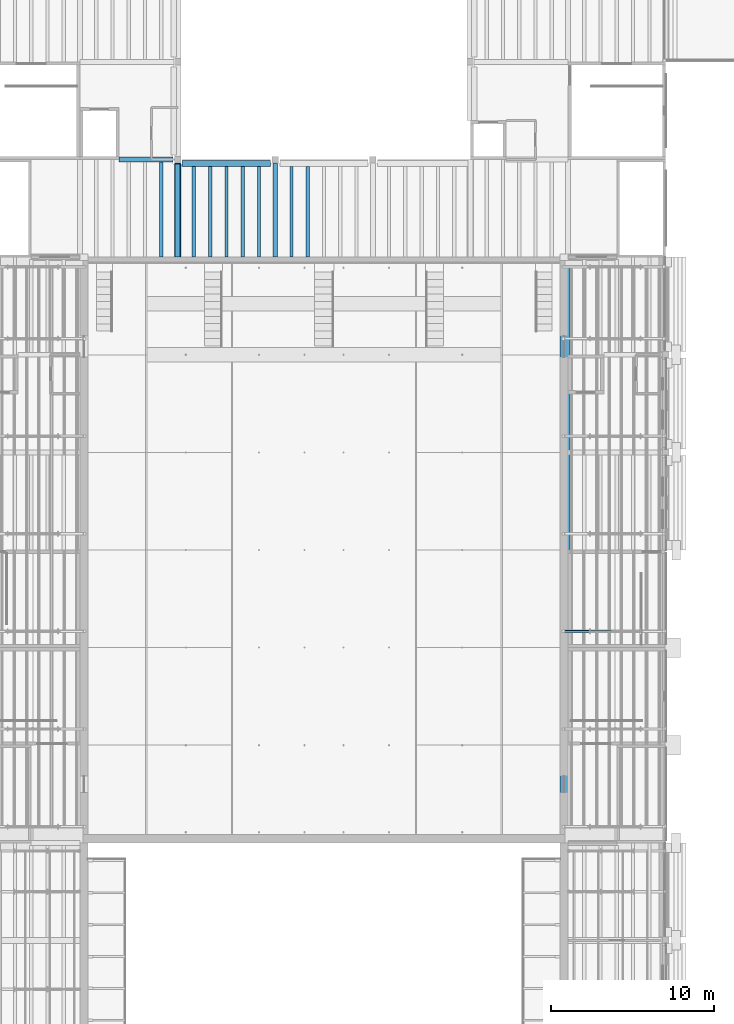
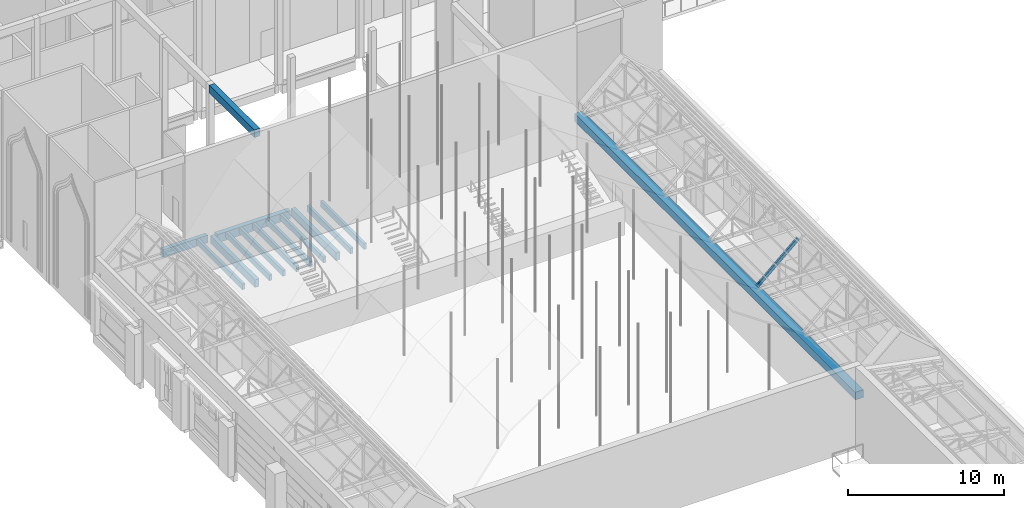
# One storey, part 43 of 118: 14 beams, 1 member.
"""IFC4 building model written with IfcOpenShell, lengths in metres."""

from ifc_helpers import new_model, si_unit, direction, frame, origin, origin_2d, place, context, subcontext, project, spatial, rectangle, hollow_rectangle, extrude, material, material_profile, profile_set, type_object, element, save


model = new_model("IFC4")

# Units and contexts
model_context = context("Model", 3, precision=1e-05, world=origin(), true_north=direction((0.0, 1.0)))
body_context = subcontext(model_context, "Body", "Model", "MODEL_VIEW")
ifc_project = project(units=[si_unit("LENGTHUNIT", "METRE"), si_unit("AREAUNIT", "SQUARE_METRE"), si_unit("VOLUMEUNIT", "CUBIC_METRE"), si_unit("PLANEANGLEUNIT", "RADIAN"), si_unit("MASSUNIT", "GRAM", prefix="KILO")], contexts=[model_context])

# Site, building, storey
site_placement = place(None, origin())
site = spatial("IfcSite", under=ifc_project, at=site_placement, CompositionType="ELEMENT")
building_placement = place(site_placement, origin())
building = spatial("IfcBuilding", under=site, at=building_placement, Name="Saffron Lane Theatres", CompositionType="ELEMENT")
storey_placement = place(building_placement, frame((0.0, 0.0, 16.5)))
storey = spatial("IfcBuildingStorey", under=building, at=storey_placement, Name="L03", CompositionType="ELEMENT", Elevation=16.5)

# Beams
ifc_material_1 = material(Name="Concrete N40 (40 MPa)", Category="concrete")
ifc_material_profile_1 = material_profile(ifc_material_1, rectangle(XDim=0.300048828125, YDim=0.60009765625, at=origin_2d()))
ifc_profile_set_1 = profile_set([ifc_material_profile_1], Name="Concrete N40 (40 MPa)")
beam_type_1 = type_object("IfcBeamType", Name="RC-BEAM 300x600", PredefinedType="BEAM", material=ifc_profile_set_1)
beam_1_placement = place(storey_placement, frame((20.39990234375, 96.0, -0.550048828125), z_axis=(1.0, 0.0, 0.0), x_axis=(0.0, 1.0, 0.0)))
element("IfcBeam", 1, at=beam_1_placement, inside=storey, type_object=beam_type_1, Name="beam-L03-x960-204", PredefinedType="BEAM", context=body_context, shape_type="SweptSolid", body=[
    extrude(rectangle(XDim=0.300048828125, YDim=0.60009765625, at=origin_2d()), origin(), (0.0, 0.0, 1.0), 3.3251953125),
])
beam_2_placement = place(storey_placement, frame((24.0, 90.0, -0.550048828125), z_axis=(0.0, 1.0, 0.0), x_axis=(-1.0, 0.0, 0.0)))
element("IfcBeam", 2, at=beam_2_placement, inside=storey, type_object=beam_type_1, Name="beam-L03-y240-900", PredefinedType="BEAM", context=body_context, shape_type="SweptSolid", body=[
    extrude(rectangle(XDim=0.300048828125, YDim=0.60009765625, at=origin_2d()), origin(), (0.0, 0.0, 1.0), 5.72509765625),
])
beam_3_placement = place(storey_placement, frame((30.0, 90.0, -0.550048828125), z_axis=(0.0, 1.0, 0.0), x_axis=(-1.0, 0.0, 0.0)))
element("IfcBeam", 3, at=beam_3_placement, inside=storey, type_object=beam_type_1, Name="beam-L03-y300-900", PredefinedType="BEAM", context=body_context, shape_type="SweptSolid", body=[
    extrude(rectangle(XDim=0.300048828125, YDim=0.60009765625, at=origin_2d()), origin(), (0.0, 0.0, 1.0), 5.77490234375),
])
ifc_material_2 = material(Name="Concrete N40 (40 MPa)", Category="concrete")
ifc_material_profile_2 = material_profile(ifc_material_2, rectangle(XDim=0.35009765625, YDim=0.64990234375, at=origin_2d()))
ifc_profile_set_2 = profile_set([ifc_material_profile_2], Name="Concrete N40 (40 MPa)")
beam_type_2 = type_object("IfcBeamType", Name="RC-BEAM 350x650", PredefinedType="BEAM", material=ifc_profile_set_2)
beam_4_placement = place(storey_placement, frame((24.27490234375, 95.764892578125, -0.574951171875), z_axis=(1.0, 0.0, 0.0), x_axis=(0.0, 1.0, 0.0)))
element("IfcBeam", 4, at=beam_4_placement, inside=storey, type_object=beam_type_2, Name="beam-L03-x960-243", PredefinedType="BEAM", context=body_context, shape_type="SweptSolid", body=[
    extrude(rectangle(XDim=0.35009765625, YDim=0.64990234375, at=origin_2d()), origin(), (0.0, 0.0, 1.0), 5.425048828125),
])
ifc_material_3 = material(Name="Concrete N40 (40 MPa)", Category="concrete")
ifc_material_profile_3 = material_profile(ifc_material_3, rectangle(XDim=0.39990234375, YDim=0.60009765625, at=origin_2d()))
ifc_profile_set_3 = profile_set([ifc_material_profile_3], Name="Concrete N40 (40 MPa)")
beam_type_3 = type_object("IfcBeamType", Name="RC-BEAM 400x600", PredefinedType="BEAM", material=ifc_profile_set_3)
beam_5_placement = place(storey_placement, frame((24.0, 90.0, 11.199951171875), z_axis=(0.0, 1.0, 0.0), x_axis=(-1.0, 0.0, 0.0)))
element("IfcBeam", 5, at=beam_5_placement, inside=storey, type_object=beam_type_3, Name="beam-roof-brick-y240-18", PredefinedType="BEAM", context=body_context, shape_type="SweptSolid", body=[
    extrude(rectangle(XDim=0.39990234375, YDim=0.60009765625, at=origin_2d()), origin(), (0.0, 0.0, 1.0), 5.800048828125),
])
ifc_material_4 = material(Name="Concrete N50 (50 MPa)", Category="concrete")
ifc_material_profile_4 = material_profile(ifc_material_4, rectangle(XDim=0.60009765625, YDim=0.60009765625, at=origin_2d()))
ifc_profile_set_4 = profile_set([ifc_material_profile_4], Name="Concrete N50 (50 MPa)")
beam_type_4 = type_object("IfcBeamType", Name="RC-BEAM 600x600", PredefinedType="USERDEFINED", material=ifc_profile_set_4)
beam_6_placement = place(storey_placement, frame((47.800048828125, 54.0, 4.199951171875), z_axis=(0.0, 1.0, 0.0), x_axis=(-1.0, 0.0, 0.0)))
element("IfcBeam", 6, at=beam_6_placement, inside=storey, type_object=beam_type_4, Name="beam-L03-ring-E", ObjectType="RING BEAM", PredefinedType="USERDEFINED", context=body_context, shape_type="SweptSolid", body=[
    extrude(rectangle(XDim=0.60009765625, YDim=0.60009765625, at=origin_2d()), origin(), (0.0, 0.0, 1.0), 36.0),
])
ifc_material_5 = material(Name="Concrete N40 (40 MPa)", Category="concrete")
ifc_material_profile_5 = material_profile(ifc_material_5, rectangle(XDim=0.199951171875, YDim=0.449951171875, at=origin_2d()))
ifc_profile_set_5 = profile_set([ifc_material_profile_5], Name="Concrete N40 (40 MPa)")
beam_type_5 = type_object("IfcBeamType", Name="RC-JOIST 200x450", PredefinedType="JOIST", material=ifc_profile_set_5)
beam_7_placement = place(storey_placement, frame((23.0, 90.0, -0.47509765625), z_axis=(0.0, 1.0, 0.0), x_axis=(-1.0, 0.0, 0.0)))
element("IfcBeam", 7, at=beam_7_placement, inside=storey, type_object=beam_type_5, Name="joist-L03-y2300-900", PredefinedType="JOIST", context=body_context, shape_type="SweptSolid", body=[
    extrude(rectangle(XDim=0.199951171875, YDim=0.449951171875, at=origin_2d()), origin(), (0.0, 0.0, 1.0), 5.85009765625),
])
for number, where, z_axis, x_axis, name in (
    (8, (25.0, 90.0, -0.47509765625), (0.0, 1.0, 0.0), (-1.0, 0.0, 0.0), "joist-L03-y2500-900"),
    (9, (26.0, 90.0, -0.47509765625), (0.0, 1.0, 0.0), (-1.0, 0.0, 0.0), "joist-L03-y2600-900"),
    (10, (27.0, 90.0, -0.47509765625), (0.0, 1.0, 0.0), (-1.0, 0.0, 0.0), "joist-L03-y2700-900"),
    (11, (28.0, 90.0, -0.47509765625), (0.0, 1.0, 0.0), (-1.0, 0.0, 0.0), "joist-L03-y2800-900"),
    (12, (29.0, 90.0, -0.47509765625), (0.0, 1.0, 0.0), (-1.0, 0.0, 0.0), "joist-L03-y2900-900"),
    (13, (31.0, 90.0, -0.47509765625), (0.0, 1.0, 0.0), (-1.0, 0.0, 0.0), "joist-L03-y3100-900"),
    (14, (32.0, 90.0, -0.47509765625), (0.0, 1.0, 0.0), (-1.0, 0.0, 0.0), "joist-L03-y3200-900"),
):
    element("IfcBeam", number, at=place(storey_placement, frame(where, z_axis=z_axis, x_axis=x_axis)), inside=storey, type_object=beam_type_5, Name=name, PredefinedType="JOIST", context=body_context, shape_type="SweptSolid", body=[
        extrude(rectangle(XDim=0.199951171875, YDim=0.449951171875, at=origin_2d()), origin(), (0.0, 0.0, 1.0), 5.590087890625),
    ])

# Member
ifc_material_6 = material(Name="Steel Grade 350", Category="steel")
ifc_material_profile_6 = material_profile(ifc_material_6, hollow_rectangle(XDim=0.14990234375, YDim=0.25, WallThickness=0.009033203125, InnerFilletRadius=0.00439453125, OuterFilletRadius=0.013427734375, at=origin_2d()))
ifc_profile_set_6 = profile_set([ifc_material_profile_6], Name="Steel Grade 350")
member_type = type_object("IfcMemberType", Name="ST-STUDIO TRUSS CHORD 250x150x9 RHS", PredefinedType="CHORD", material=ifc_profile_set_6)
member_placement = place(storey_placement, frame((47.717041015625, 67.0, 4.843505859375), z_axis=(0.748261446236, 0.0, 0.663403955428), x_axis=(0.0, 1.0, 0.0)))
element("IfcMember", 15, at=member_placement, inside=storey, type_object=member_type, Name="SB2-C19", PredefinedType="CHORD", context=body_context, shape_type="SweptSolid", body=[
    extrude(hollow_rectangle(XDim=0.14990234375, YDim=0.25, WallThickness=0.009033203125, InnerFilletRadius=0.00439453125, OuterFilletRadius=0.013427734375, at=origin_2d()), origin(), (0.0, 0.0, 1.0), 4.0595703125),
])

save(model, "model.ifc")
